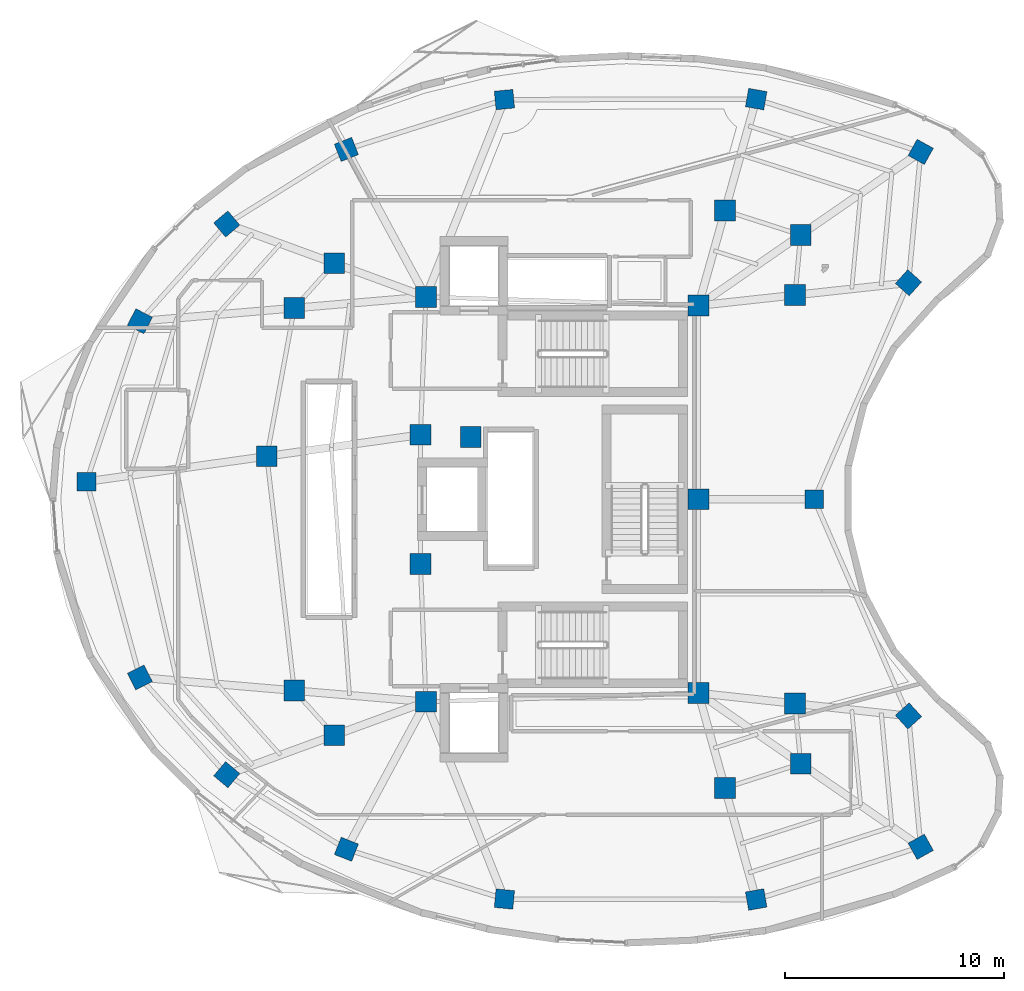
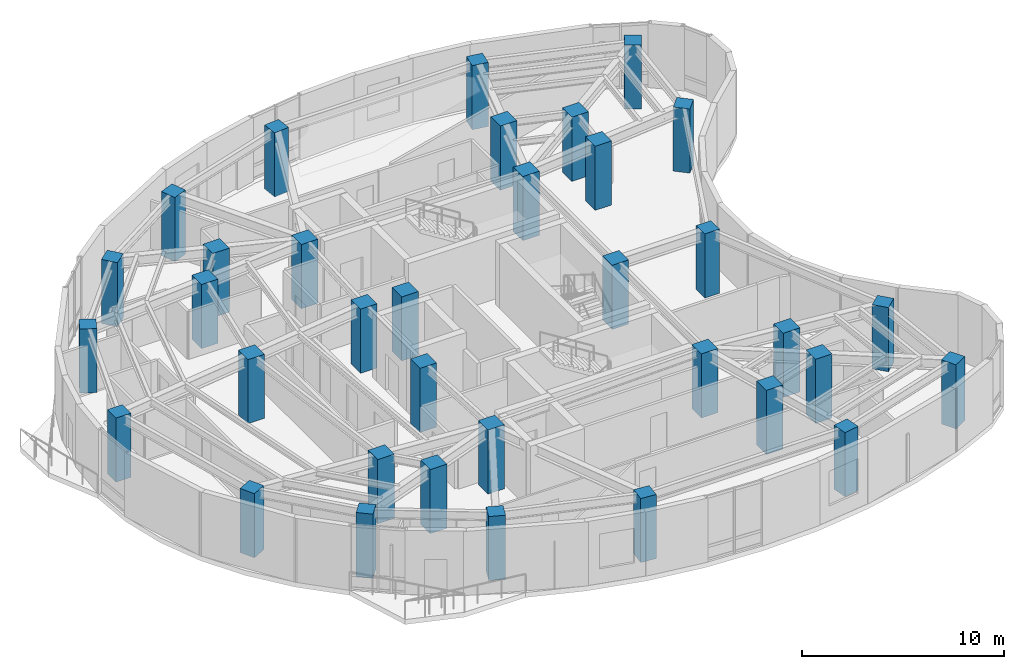
# One storey, part 1 of 13: 35 columns.
"""IFC4 building model written with IfcOpenShell, lengths in metres."""

from ifc_helpers import new_model, si_unit, direction, frame, origin, origin_2d, place, context, subcontext, project, spatial, rectangle, extrude, material, material_profile, profile_set, type_object, element, save


model = new_model("IFC4")

# Units and contexts
model_context = context("Model", 3, precision=1e-05, world=origin(), true_north=direction((0.0, 1.0)))
body_context = subcontext(model_context, "Body", "Model", "MODEL_VIEW")
ifc_project = project(units=[si_unit("LENGTHUNIT", "METRE"), si_unit("AREAUNIT", "SQUARE_METRE"), si_unit("VOLUMEUNIT", "CUBIC_METRE"), si_unit("PLANEANGLEUNIT", "RADIAN"), si_unit("MASSUNIT", "GRAM", prefix="KILO")], contexts=[model_context])

# Site, building, storey
site_placement = place(None, origin())
site = spatial("IfcSite", under=ifc_project, at=site_placement, CompositionType="ELEMENT")
building_placement = place(site_placement, origin())
building = spatial("IfcBuilding", under=site, at=building_placement, Name="Korentha Bioscience Tower", CompositionType="ELEMENT")
storey_placement = place(building_placement, frame((0.0, 0.0, 273.0)))
storey = spatial("IfcBuildingStorey", under=building, at=storey_placement, Name="L63", CompositionType="ELEMENT", Elevation=273.0)

# Columns
ifc_material_1 = material(Name="Concrete C65", Category="concrete")
ifc_material_profile_1 = material_profile(ifc_material_1, rectangle(XDim=0.949951171875, YDim=0.949951171875, at=origin_2d()), Name="Concrete C65")
ifc_profile_set_1 = profile_set([ifc_material_profile_1], Name="Concrete C65 (COL-CP09)")
column_type_1 = type_object("IfcColumnType", Name="Core Pilaster Column RC 950x950", PredefinedType="PILASTER", material=ifc_profile_set_1)
for number, where, z_axis, x_axis, name in (
    (1, (37.550048828125, 35.85009765625, -0.00048828125), (0.0, 0.0, 1.0), (1.0, 0.0, 0.0), "L63 Core Pilaster CP-01"),
    (2, (25.10009765625, 36.25, -0.00048828125), (0.0, 0.0, 1.0), (1.0, 0.0, 0.0), "L63 Core Pilaster CP-02"),
    (3, (24.85009765625, 29.949951171875, -0.00048828125), (0.0, 0.0, 1.0), (1.0, 0.0, 0.0), "L63 Core Pilaster CP-03"),
    (4, (27.14990234375, 29.85009765625, -0.00048828125), (0.0, 0.0, 1.0), (1.0, 0.0, 0.0), "L63 Core Pilaster CP-04"),
    (5, (24.85009765625, 24.050048828125, -0.00048828125), (0.0, 0.0, 1.0), (1.0, 0.0, 0.0), "L63 Core Pilaster CP-05"),
    (6, (25.10009765625, 17.75, -0.00048828125), (0.0, 0.0, 1.0), (1.0, 0.0, 0.0), "L63 Core Pilaster CP-06"),
    (7, (37.550048828125, 18.14990234375, -0.00048828125), (0.0, 0.0, 1.0), (1.0, 0.0, 0.0), "L63 Core Pilaster CP-07"),
    (8, (37.550048828125, 27.0, -0.00048828125), (0.0, 0.0, 1.0), (1.0, 0.0, 0.0), "L63 Core Pilaster CP-08"),
):
    element("IfcColumn", number, at=place(storey_placement, frame(where, z_axis=z_axis, x_axis=x_axis)), inside=storey, type_object=column_type_1, Name=name, PredefinedType="PILASTER", context=body_context, shape_type="SweptSolid", body=[
        extrude(rectangle(XDim=0.949951171875, YDim=0.949951171875, at=origin_2d()), origin(), (0.0, 0.0, 1.0), 3.881103515625),
    ])
ifc_material_profile_2 = material_profile(ifc_material_1, rectangle(XDim=0.949951171875, YDim=0.949951171875, at=origin_2d()), Name="Concrete C65")
ifc_profile_set_2 = profile_set([ifc_material_profile_2], Name="Concrete C65 (COL-MR09)")
column_type_2 = type_object("IfcColumnType", Name="Mid-Ring Lab Column RC 950x950", PredefinedType="COLUMN", material=ifc_profile_set_2)
for number, where, z_axis, x_axis, name in (
    (9, (42.2216796875, 39.08056640625, -0.00048828125), (0.0, 0.0, 1.0), (1.0, 0.0, 0.0), "L63 Mid-Ring Column 01"),
    (10, (38.76416015625, 40.18896484375, -0.00048828125), (0.0, 0.0, 1.0), (1.0, 0.0, 0.0), "L63 Mid-Ring Column 02"),
    (11, (20.915283203125, 37.78125, -0.00048828125), (0.0, 0.0, 1.0), (1.0, 0.0, 0.0), "L63 Mid-Ring Column 05"),
    (12, (19.08984375, 35.737548828125, -0.00048828125), (0.0, 0.0, 1.0), (1.0, 0.0, 0.0), "L63 Mid-Ring Column 06"),
    (13, (17.833740234375, 28.9658203125, -0.00048828125), (0.0, 0.0, 1.0), (1.0, 0.0, 0.0), "L63 Mid-Ring Column 07"),
    (14, (19.08984375, 18.262451171875, -0.00048828125), (0.0, 0.0, 1.0), (1.0, 0.0, 0.0), "L63 Mid-Ring Column 08"),
    (15, (20.915283203125, 16.21875, -0.00048828125), (0.0, 0.0, 1.0), (1.0, 0.0, 0.0), "L63 Mid-Ring Column 09"),
    (16, (38.76416015625, 13.81103515625, -0.00048828125), (0.0, 0.0, 1.0), (1.0, 0.0, 0.0), "L63 Mid-Ring Column 12"),
    (17, (42.2216796875, 14.91943359375, -0.00048828125), (0.0, 0.0, 1.0), (1.0, 0.0, 0.0), "L63 Mid-Ring Column 13"),
    (18, (41.9638671875, 17.669189453125, -0.00048828125), (0.0, 0.0, 1.0), (1.0, 0.0, 0.0), "L63 Mid-Ring Column 14"),
    (19, (41.9638671875, 36.330810546875, -0.00048828125), (0.0, 0.0, 1.0), (1.0, 0.0, 0.0), "L63 Mid-Ring Column 16"),
):
    element("IfcColumn", number, at=place(storey_placement, frame(where, z_axis=z_axis, x_axis=x_axis)), inside=storey, type_object=column_type_2, Name=name, PredefinedType="COLUMN", context=body_context, shape_type="SweptSolid", body=[
        extrude(rectangle(XDim=0.949951171875, YDim=0.949951171875, at=origin_2d()), origin(), (0.0, 0.0, 1.0), 3.881103515625),
    ])
ifc_material_2 = material(Name="Concrete C50", Category="concrete")
ifc_material_profile_3 = material_profile(ifc_material_2, rectangle(XDim=0.85009765625, YDim=0.85009765625, at=origin_2d()), Name="Concrete C50")
ifc_profile_set_3 = profile_set([ifc_material_profile_3], Name="Concrete C50 (COL-P08)")
column_type_3 = type_object("IfcColumnType", Name="Perimeter Column RC 850x850", PredefinedType="COLUMN", material=ifc_profile_set_3)
for number, where, z_axis, x_axis, name in (
    (20, (47.7060546875, 42.873046875, -0.00048828125), (0.0, 0.0, 1.0), (-0.874535078577, 0.484962262797, 0.0), "L63 Perimeter Column 01"),
    (21, (40.189453125, 45.2822265625, -0.00048828125), (0.0, 0.0, 1.0), (-0.984868307662, 0.173304404339, 0.0), "L63 Perimeter Column 02"),
    (22, (28.68798828125, 45.2607421875, -0.00048828125), (0.0, 0.0, 1.0), (0.995462868748, 0.095150811579, 0.0), "L63 Perimeter Column 03"),
    (23, (21.468505859375, 42.986328125, -0.00048828125), (0.0, 0.0, 1.0), (0.930225540858, 0.366988341962, 0.0), "L63 Perimeter Column 04"),
    (24, (16.002685546875, 39.57861328125, -0.00048828125), (0.0, 0.0, 1.0), (0.764246456939, 0.644924300253, 0.0), "L63 Perimeter Column 05"),
    (25, (12.034423828125, 35.135986328125, -0.00048828125), (0.0, 0.0, 1.0), (0.453057191132, 0.891481453292, 0.0), "L63 Perimeter Column 06"),
    (26, (9.597412109375, 27.810302734375, -0.00048828125), (0.0, 0.0, 1.0), (0.0, 1.0, 0.0), "L63 Perimeter Column 07"),
    (27, (12.034423828125, 18.864013671875, -0.00048828125), (0.0, 0.0, 1.0), (-0.453057191132, 0.891481453292, 0.0), "L63 Perimeter Column 08"),
    (28, (16.002685546875, 14.42138671875, -0.00048828125), (0.0, 0.0, 1.0), (-0.764246456939, 0.644924300253, 0.0), "L63 Perimeter Column 09"),
    (29, (21.468505859375, 11.013671875, -0.00048828125), (0.0, 0.0, 1.0), (-0.930225540858, 0.366988341962, 0.0), "L63 Perimeter Column 10"),
    (30, (28.68798828125, 8.7392578125, -0.00048828125), (0.0, 0.0, 1.0), (-0.995462868748, 0.095150811579, 0.0), "L63 Perimeter Column 11"),
    (31, (40.189453125, 8.7177734375, -0.00048828125), (0.0, 0.0, 1.0), (0.984868307662, 0.173304404339, 0.0), "L63 Perimeter Column 12"),
    (32, (47.7060546875, 11.126953125, -0.00048828125), (0.0, 0.0, 1.0), (0.874535078577, 0.484962262797, 0.0), "L63 Perimeter Column 13"),
    (33, (47.1455078125, 17.1044921875, -0.00048828125), (0.0, 0.0, 1.0), (-0.669130606359, 0.743144825477, 0.0), "L63 Perimeter Column 14"),
    (34, (42.833984375, 27.0, -0.00048828125), (0.0, 0.0, 1.0), (0.0, 1.0, 0.0), "L63 Perimeter Column 15"),
    (35, (47.1455078125, 36.8955078125, -0.00048828125), (0.0, 0.0, 1.0), (0.669130606359, 0.743144825477, 0.0), "L63 Perimeter Column 16"),
):
    element("IfcColumn", number, at=place(storey_placement, frame(where, z_axis=z_axis, x_axis=x_axis)), inside=storey, type_object=column_type_3, Name=name, PredefinedType="COLUMN", context=body_context, shape_type="SweptSolid", body=[
        extrude(rectangle(XDim=0.85009765625, YDim=0.85009765625, at=origin_2d()), origin(), (0.0, 0.0, 1.0), 3.881103515625),
    ])

save(model, "model.ifc")
